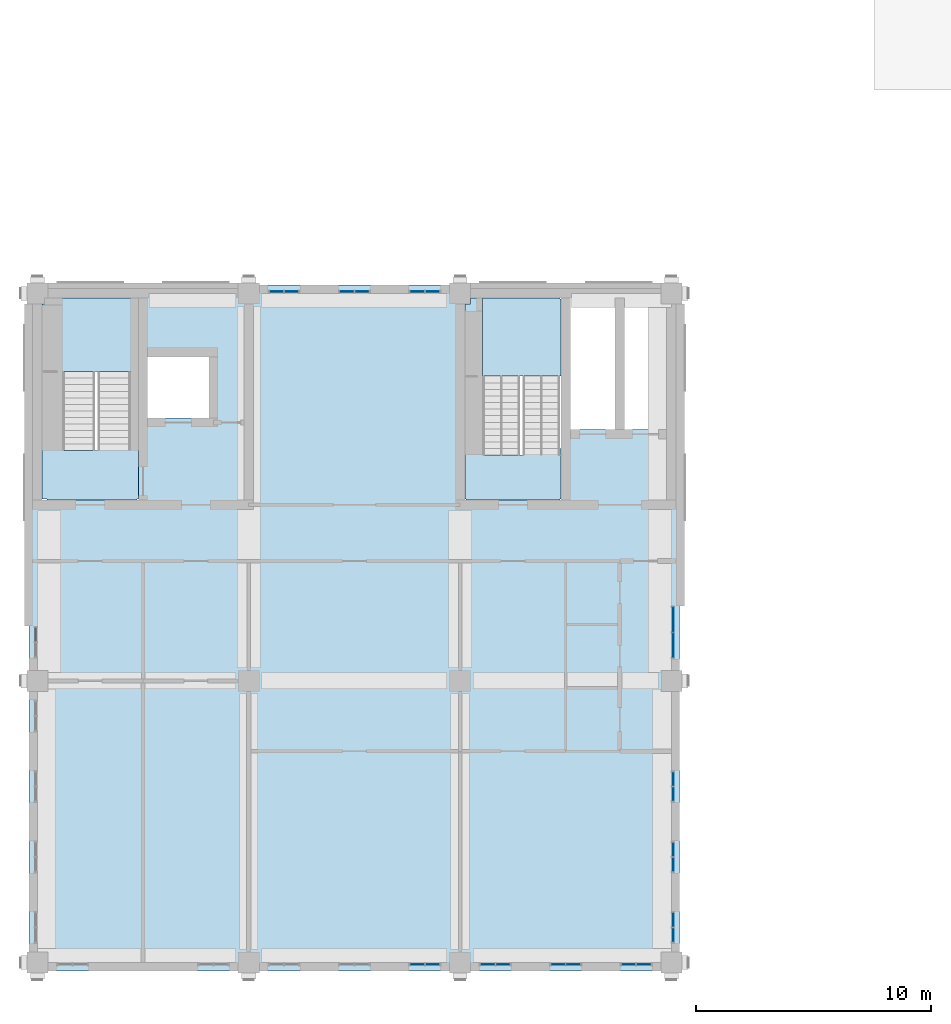
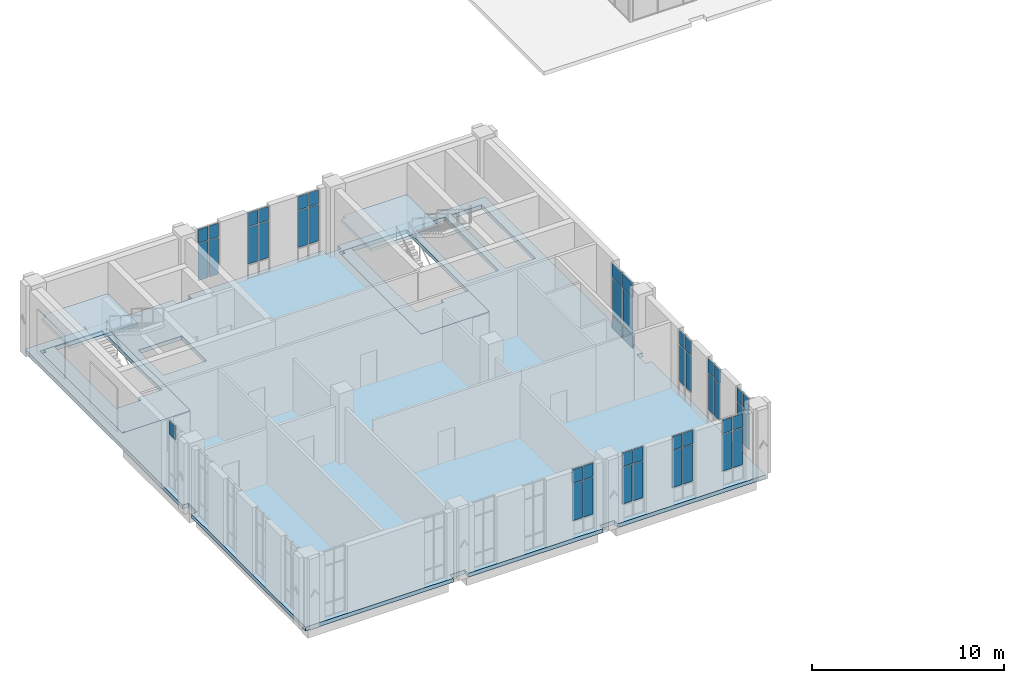
# One storey, part 13 of 25: 47 plates, 5 slabs, 14 elements without a shape of their own.
"""IFC4 building model written with IfcOpenShell, lengths in metres."""

from ifc_helpers import new_model, si_unit, direction, frame, origin, origin_2d, place, context, subcontext, project, spatial, polyline, rectangle, outline, extrude, material, layer, layer_set, type_object, element, aggregate, save


model = new_model("IFC4")

# Units and contexts
model_context = context("Model", 3, precision=1e-05, world=origin(), true_north=direction((0.0, 1.0)))
body_context = subcontext(model_context, "Body", "Model", "MODEL_VIEW")
ifc_project = project(units=[si_unit("LENGTHUNIT", "METRE"), si_unit("AREAUNIT", "SQUARE_METRE"), si_unit("VOLUMEUNIT", "CUBIC_METRE"), si_unit("PLANEANGLEUNIT", "RADIAN"), si_unit("MASSUNIT", "GRAM", prefix="KILO")], contexts=[model_context])

# Site, building, storey
site_placement = place(None, origin())
site = spatial("IfcSite", under=ifc_project, at=site_placement, CompositionType="ELEMENT")
building_placement = place(site_placement, origin())
building = spatial("IfcBuilding", under=site, at=building_placement, Name="Aurelan Courthouse", CompositionType="ELEMENT")
storey_placement = place(building_placement, frame((0.0, 0.0, 44.39990234375)))
storey = spatial("IfcBuildingStorey", under=building, at=storey_placement, Name="L08", CompositionType="ELEMENT", Elevation=44.39990234375)

# Curtain wall, plates
ifc_material_1 = material(Name="Bronze-finished aluminium and glass", Category="aluminium")
ifc_layer_1 = layer(ifc_material_1, 0.14990234375)
ifc_layer_set_1 = layer_set([ifc_layer_1], Name="Bronze-finished aluminium and glass")
curtain_wall_type_1 = type_object("IfcCurtainWallType", Name="Curtain wall 1350 x 4250", PredefinedType="NOTDEFINED", material=ifc_layer_set_1)
curtain_wall_1_placement = place(storey_placement, origin())
curtain_wall_1 = element("IfcCurtainWall", 1, at=curtain_wall_1_placement, inside=storey, type_object=curtain_wall_type_1, Name="Curtain wall CW-V5-L08-S05", PredefinedType="NOTDEFINED")
ifc_material_2 = material(Name="Limestone cladding", Category="masonry")
ifc_layer_2 = layer(ifc_material_2, 0.0400390625, Name="Facing")
ifc_material_3 = material(Name="Bronze sheet cladding", Category="bronze")
ifc_layer_3 = layer(ifc_material_3, 0.02001953125, Name="Back sheet")
ifc_layer_set_2 = layer_set([ifc_layer_2, ifc_layer_3], Name="Limestone cladding")
plate_type_1 = type_object("IfcPlateType", Name="Limestone spandrel panel with bronze back sheet 60", PredefinedType="CURTAIN_PANEL", material=ifc_layer_set_2)
plate_1_placement = place(storey_placement, frame((16.177490234375, -0.074951171875, 3.330078125), z_axis=(0.0, 0.0, 1.0), x_axis=(1.0, 0.0, 0.0)))
plate_1 = element("IfcPlate", 2, at=plate_1_placement, type_object=plate_type_1, Name="CW-V5-L08-S05 spandrel panel 1.3", PredefinedType="CURTAIN_PANEL", context=body_context, shape_type="SweptSolid", body=[
    extrude(rectangle(XDim=0.5849609375, YDim=0.06005859375, at=origin_2d()), origin(), (0.0, 0.0, 1.0), 0.860107421875),
])
plate_2_placement = place(storey_placement, frame((16.822509765625, -0.074951171875, 3.330078125), z_axis=(0.0, 0.0, 1.0), x_axis=(1.0, 0.0, 0.0)))
plate_2 = element("IfcPlate", 3, at=plate_2_placement, type_object=plate_type_1, Name="CW-V5-L08-S05 spandrel panel 2.3", PredefinedType="CURTAIN_PANEL", context=body_context, shape_type="SweptSolid", body=[
    extrude(rectangle(XDim=0.5849609375, YDim=0.06005859375, at=origin_2d()), origin(), (0.0, 0.0, 1.0), 0.860107421875),
])

curtain_wall_2_placement = place(storey_placement, origin())
curtain_wall_2 = element("IfcCurtainWall", 4, at=curtain_wall_2_placement, inside=storey, type_object=curtain_wall_type_1, Name="Curtain wall CW-V5-L08-S06", PredefinedType="NOTDEFINED")
plate_3_placement = place(storey_placement, frame((19.177490234375, -0.074951171875, 3.330078125), z_axis=(0.0, 0.0, 1.0), x_axis=(1.0, 0.0, 0.0)))
plate_3 = element("IfcPlate", 5, at=plate_3_placement, type_object=plate_type_1, Name="CW-V5-L08-S06 spandrel panel 1.3", PredefinedType="CURTAIN_PANEL", context=body_context, shape_type="SweptSolid", body=[
    extrude(rectangle(XDim=0.5849609375, YDim=0.06005859375, at=origin_2d()), origin(), (0.0, 0.0, 1.0), 0.860107421875),
])
plate_4_placement = place(storey_placement, frame((19.822509765625, -0.074951171875, 3.330078125), z_axis=(0.0, 0.0, 1.0), x_axis=(1.0, 0.0, 0.0)))
plate_4 = element("IfcPlate", 6, at=plate_4_placement, type_object=plate_type_1, Name="CW-V5-L08-S06 spandrel panel 2.3", PredefinedType="CURTAIN_PANEL", context=body_context, shape_type="SweptSolid", body=[
    extrude(rectangle(XDim=0.5849609375, YDim=0.06005859375, at=origin_2d()), origin(), (0.0, 0.0, 1.0), 0.860107421875),
])

curtain_wall_3_placement = place(storey_placement, origin())
curtain_wall_3 = element("IfcCurtainWall", 7, at=curtain_wall_3_placement, inside=storey, type_object=curtain_wall_type_1, Name="Curtain wall CW-V5-L08-S07", PredefinedType="NOTDEFINED")
plate_5_placement = place(storey_placement, frame((22.177490234375, -0.074951171875, 3.330078125), z_axis=(0.0, 0.0, 1.0), x_axis=(1.0, 0.0, 0.0)))
plate_5 = element("IfcPlate", 8, at=plate_5_placement, type_object=plate_type_1, Name="CW-V5-L08-S07 spandrel panel 1.3", PredefinedType="CURTAIN_PANEL", context=body_context, shape_type="SweptSolid", body=[
    extrude(rectangle(XDim=0.5849609375, YDim=0.06005859375, at=origin_2d()), origin(), (0.0, 0.0, 1.0), 0.860107421875),
])
plate_6_placement = place(storey_placement, frame((22.822509765625, -0.074951171875, 3.330078125), z_axis=(0.0, 0.0, 1.0), x_axis=(1.0, 0.0, 0.0)))
plate_6 = element("IfcPlate", 9, at=plate_6_placement, type_object=plate_type_1, Name="CW-V5-L08-S07 spandrel panel 2.3", PredefinedType="CURTAIN_PANEL", context=body_context, shape_type="SweptSolid", body=[
    extrude(rectangle(XDim=0.5849609375, YDim=0.06005859375, at=origin_2d()), origin(), (0.0, 0.0, 1.0), 0.860107421875),
])

curtain_wall_4_placement = place(storey_placement, origin())
curtain_wall_4 = element("IfcCurtainWall", 10, at=curtain_wall_4_placement, inside=storey, type_object=curtain_wall_type_1, Name="Curtain wall CW-V5-L08-S08", PredefinedType="NOTDEFINED")
plate_7_placement = place(storey_placement, frame((25.177490234375, -0.074951171875, 3.330078125), z_axis=(0.0, 0.0, 1.0), x_axis=(1.0, 0.0, 0.0)))
plate_7 = element("IfcPlate", 11, at=plate_7_placement, type_object=plate_type_1, Name="CW-V5-L08-S08 spandrel panel 1.3", PredefinedType="CURTAIN_PANEL", context=body_context, shape_type="SweptSolid", body=[
    extrude(rectangle(XDim=0.5849609375, YDim=0.06005859375, at=origin_2d()), origin(), (0.0, 0.0, 1.0), 0.860107421875),
])
plate_8_placement = place(storey_placement, frame((25.822509765625, -0.074951171875, 3.330078125), z_axis=(0.0, 0.0, 1.0), x_axis=(1.0, 0.0, 0.0)))
plate_8 = element("IfcPlate", 12, at=plate_8_placement, type_object=plate_type_1, Name="CW-V5-L08-S08 spandrel panel 2.3", PredefinedType="CURTAIN_PANEL", context=body_context, shape_type="SweptSolid", body=[
    extrude(rectangle(XDim=0.5849609375, YDim=0.06005859375, at=origin_2d()), origin(), (0.0, 0.0, 1.0), 0.860107421875),
])

curtain_wall_5_placement = place(storey_placement, origin())
curtain_wall_5 = element("IfcCurtainWall", 13, at=curtain_wall_5_placement, inside=storey, type_object=curtain_wall_type_1, Name="Curtain wall CW-V5-L08-N01", PredefinedType="NOTDEFINED")
plate_9_placement = place(storey_placement, frame((10.177490234375, 28.574951171875, 3.330078125), z_axis=(0.0, 0.0, 1.0), x_axis=(1.0, 0.0, 0.0)))
plate_9 = element("IfcPlate", 14, at=plate_9_placement, type_object=plate_type_1, Name="CW-V5-L08-N01 spandrel panel 1.3", PredefinedType="CURTAIN_PANEL", context=body_context, shape_type="SweptSolid", body=[
    extrude(rectangle(XDim=0.5849609375, YDim=0.06005859375, at=origin_2d()), origin(), (0.0, 0.0, 1.0), 0.860107421875),
])
plate_10_placement = place(storey_placement, frame((10.822509765625, 28.574951171875, 3.330078125), z_axis=(0.0, 0.0, 1.0), x_axis=(1.0, 0.0, 0.0)))
plate_10 = element("IfcPlate", 15, at=plate_10_placement, type_object=plate_type_1, Name="CW-V5-L08-N01 spandrel panel 2.3", PredefinedType="CURTAIN_PANEL", context=body_context, shape_type="SweptSolid", body=[
    extrude(rectangle(XDim=0.5849609375, YDim=0.06005859375, at=origin_2d()), origin(), (0.0, 0.0, 1.0), 0.860107421875),
])

curtain_wall_6_placement = place(storey_placement, origin())
curtain_wall_6 = element("IfcCurtainWall", 16, at=curtain_wall_6_placement, inside=storey, type_object=curtain_wall_type_1, Name="Curtain wall CW-V5-L08-N02", PredefinedType="NOTDEFINED")
plate_11_placement = place(storey_placement, frame((13.177490234375, 28.574951171875, 3.330078125), z_axis=(0.0, 0.0, 1.0), x_axis=(1.0, 0.0, 0.0)))
plate_11 = element("IfcPlate", 17, at=plate_11_placement, type_object=plate_type_1, Name="CW-V5-L08-N02 spandrel panel 1.3", PredefinedType="CURTAIN_PANEL", context=body_context, shape_type="SweptSolid", body=[
    extrude(rectangle(XDim=0.5849609375, YDim=0.06005859375, at=origin_2d()), origin(), (0.0, 0.0, 1.0), 0.860107421875),
])
plate_12_placement = place(storey_placement, frame((13.822509765625, 28.574951171875, 3.330078125), z_axis=(0.0, 0.0, 1.0), x_axis=(1.0, 0.0, 0.0)))
plate_12 = element("IfcPlate", 18, at=plate_12_placement, type_object=plate_type_1, Name="CW-V5-L08-N02 spandrel panel 2.3", PredefinedType="CURTAIN_PANEL", context=body_context, shape_type="SweptSolid", body=[
    extrude(rectangle(XDim=0.5849609375, YDim=0.06005859375, at=origin_2d()), origin(), (0.0, 0.0, 1.0), 0.860107421875),
])

curtain_wall_7_placement = place(storey_placement, origin())
curtain_wall_7 = element("IfcCurtainWall", 19, at=curtain_wall_7_placement, inside=storey, type_object=curtain_wall_type_1, Name="Curtain wall CW-V5-L08-N03", PredefinedType="NOTDEFINED")
plate_13_placement = place(storey_placement, frame((16.177490234375, 28.574951171875, 3.330078125), z_axis=(0.0, 0.0, 1.0), x_axis=(1.0, 0.0, 0.0)))
plate_13 = element("IfcPlate", 20, at=plate_13_placement, type_object=plate_type_1, Name="CW-V5-L08-N03 spandrel panel 1.3", PredefinedType="CURTAIN_PANEL", context=body_context, shape_type="SweptSolid", body=[
    extrude(rectangle(XDim=0.5849609375, YDim=0.06005859375, at=origin_2d()), origin(), (0.0, 0.0, 1.0), 0.860107421875),
])
plate_14_placement = place(storey_placement, frame((16.822509765625, 28.574951171875, 3.330078125), z_axis=(0.0, 0.0, 1.0), x_axis=(1.0, 0.0, 0.0)))
plate_14 = element("IfcPlate", 21, at=plate_14_placement, type_object=plate_type_1, Name="CW-V5-L08-N03 spandrel panel 2.3", PredefinedType="CURTAIN_PANEL", context=body_context, shape_type="SweptSolid", body=[
    extrude(rectangle(XDim=0.5849609375, YDim=0.06005859375, at=origin_2d()), origin(), (0.0, 0.0, 1.0), 0.860107421875),
])

curtain_wall_8_placement = place(storey_placement, origin())
curtain_wall_8 = element("IfcCurtainWall", 22, at=curtain_wall_8_placement, inside=storey, type_object=curtain_wall_type_1, Name="Curtain wall CW-V5-L08-E01", PredefinedType="NOTDEFINED")
plate_15_placement = place(storey_placement, frame((27.074951171875, 1.177490234375, 3.330078125), z_axis=(0.0, 0.0, 1.0), x_axis=(0.0, 1.0, 0.0)))
plate_15 = element("IfcPlate", 23, at=plate_15_placement, type_object=plate_type_1, Name="CW-V5-L08-E01 spandrel panel 1.3", PredefinedType="CURTAIN_PANEL", context=body_context, shape_type="SweptSolid", body=[
    extrude(rectangle(XDim=0.5849609375, YDim=0.06005859375, at=origin_2d()), origin(), (0.0, 0.0, 1.0), 0.860107421875),
])
plate_16_placement = place(storey_placement, frame((27.074951171875, 1.822509765625, 3.330078125), z_axis=(0.0, 0.0, 1.0), x_axis=(0.0, 1.0, 0.0)))
plate_16 = element("IfcPlate", 24, at=plate_16_placement, type_object=plate_type_1, Name="CW-V5-L08-E01 spandrel panel 2.3", PredefinedType="CURTAIN_PANEL", context=body_context, shape_type="SweptSolid", body=[
    extrude(rectangle(XDim=0.5849609375, YDim=0.06005859375, at=origin_2d()), origin(), (0.0, 0.0, 1.0), 0.860107421875),
])

curtain_wall_9_placement = place(storey_placement, origin())
curtain_wall_9 = element("IfcCurtainWall", 25, at=curtain_wall_9_placement, inside=storey, type_object=curtain_wall_type_1, Name="Curtain wall CW-V5-L08-E02", PredefinedType="NOTDEFINED")
plate_17_placement = place(storey_placement, frame((27.074951171875, 4.177490234375, 3.330078125), z_axis=(0.0, 0.0, 1.0), x_axis=(0.0, 1.0, 0.0)))
plate_17 = element("IfcPlate", 26, at=plate_17_placement, type_object=plate_type_1, Name="CW-V5-L08-E02 spandrel panel 1.3", PredefinedType="CURTAIN_PANEL", context=body_context, shape_type="SweptSolid", body=[
    extrude(rectangle(XDim=0.5849609375, YDim=0.06005859375, at=origin_2d()), origin(), (0.0, 0.0, 1.0), 0.860107421875),
])
plate_18_placement = place(storey_placement, frame((27.074951171875, 4.822509765625, 3.330078125), z_axis=(0.0, 0.0, 1.0), x_axis=(0.0, 1.0, 0.0)))
plate_18 = element("IfcPlate", 27, at=plate_18_placement, type_object=plate_type_1, Name="CW-V5-L08-E02 spandrel panel 2.3", PredefinedType="CURTAIN_PANEL", context=body_context, shape_type="SweptSolid", body=[
    extrude(rectangle(XDim=0.5849609375, YDim=0.06005859375, at=origin_2d()), origin(), (0.0, 0.0, 1.0), 0.860107421875),
])

curtain_wall_10_placement = place(storey_placement, origin())
curtain_wall_10 = element("IfcCurtainWall", 28, at=curtain_wall_10_placement, inside=storey, type_object=curtain_wall_type_1, Name="Curtain wall CW-V5-L08-E03", PredefinedType="NOTDEFINED")
plate_19_placement = place(storey_placement, frame((27.074951171875, 7.177490234375, 3.330078125), z_axis=(0.0, 0.0, 1.0), x_axis=(0.0, 1.0, 0.0)))
plate_19 = element("IfcPlate", 29, at=plate_19_placement, type_object=plate_type_1, Name="CW-V5-L08-E03 spandrel panel 1.3", PredefinedType="CURTAIN_PANEL", context=body_context, shape_type="SweptSolid", body=[
    extrude(rectangle(XDim=0.5849609375, YDim=0.06005859375, at=origin_2d()), origin(), (0.0, 0.0, 1.0), 0.860107421875),
])
plate_20_placement = place(storey_placement, frame((27.074951171875, 7.822509765625, 3.330078125), z_axis=(0.0, 0.0, 1.0), x_axis=(0.0, 1.0, 0.0)))
plate_20 = element("IfcPlate", 30, at=plate_20_placement, type_object=plate_type_1, Name="CW-V5-L08-E03 spandrel panel 2.3", PredefinedType="CURTAIN_PANEL", context=body_context, shape_type="SweptSolid", body=[
    extrude(rectangle(XDim=0.5849609375, YDim=0.06005859375, at=origin_2d()), origin(), (0.0, 0.0, 1.0), 0.860107421875),
])

ifc_layer_4 = layer(ifc_material_1, 0.14990234375)
ifc_layer_set_3 = layer_set([ifc_layer_4], Name="Bronze-finished aluminium and glass")
curtain_wall_type_2 = type_object("IfcCurtainWallType", Name="Curtain wall 2250 x 4250", PredefinedType="NOTDEFINED", material=ifc_layer_set_3)
curtain_wall_11_placement = place(storey_placement, origin())
curtain_wall_11 = element("IfcCurtainWall", 31, at=curtain_wall_11_placement, inside=storey, type_object=curtain_wall_type_2, Name="Curtain wall CW-V5-L08-E04", PredefinedType="NOTDEFINED")
plate_21_placement = place(storey_placement, frame((27.074951171875, 13.514892578125, 3.330078125), z_axis=(0.0, 0.0, 1.0), x_axis=(0.0, 1.0, 0.0)))
plate_21 = element("IfcPlate", 32, at=plate_21_placement, type_object=plate_type_1, Name="CW-V5-L08-E04 spandrel panel 1.3", PredefinedType="CURTAIN_PANEL", context=body_context, shape_type="SweptSolid", body=[
    extrude(rectangle(XDim=1.034912109375, YDim=0.06005859375, at=origin_2d()), origin(), (0.0, 0.0, 1.0), 0.860107421875),
])
plate_22_placement = place(storey_placement, frame((27.074951171875, 14.610107421875, 3.330078125), z_axis=(0.0, 0.0, 1.0), x_axis=(0.0, 1.0, 0.0)))
plate_22 = element("IfcPlate", 33, at=plate_22_placement, type_object=plate_type_1, Name="CW-V5-L08-E04 spandrel panel 2.3", PredefinedType="CURTAIN_PANEL", context=body_context, shape_type="SweptSolid", body=[
    extrude(rectangle(XDim=1.034912109375, YDim=0.06005859375, at=origin_2d()), origin(), (0.0, 0.0, 1.0), 0.860107421875),
])

# Curtain wall, plate
curtain_wall_12_placement = place(storey_placement, origin())
curtain_wall_12 = element("IfcCurtainWall", 34, at=curtain_wall_12_placement, inside=storey, type_object=curtain_wall_type_1, Name="Curtain wall CW-V5-L08-W05", PredefinedType="NOTDEFINED")
plate_23_placement = place(storey_placement, frame((-0.074951171875, 13.972412109375, 3.330078125), z_axis=(0.0, 0.0, 1.0), x_axis=(0.0, 1.0, 0.0)))
plate_23 = element("IfcPlate", 35, at=plate_23_placement, type_object=plate_type_1, Name="CW-V5-L08-W05 spandrel panel 2.3", PredefinedType="CURTAIN_PANEL", context=body_context, shape_type="SweptSolid", body=[
    extrude(rectangle(XDim=0.5849609375, YDim=0.06005859375, at=origin_2d()), origin(), (0.0, 0.0, 1.0), 0.860107421875),
])
aggregate(curtain_wall_12, [plate_23])

# Slab
ifc_material_4 = material(Name="Concrete C40", Category="concrete")
ifc_layer_5 = layer(ifc_material_4, 0.25)
ifc_layer_set_4 = layer_set([ifc_layer_5], Name="Concrete C40")
slab_type_1 = type_object("IfcSlabType", Name="PT floor slab 250", PredefinedType="FLOOR", material=ifc_layer_set_4)
slab_1_placement = place(storey_placement, frame((0.0, 0.0, -0.25)))
element("IfcSlab", 36, at=slab_1_placement, inside=storey, type_object=slab_type_1, Name="Floor slab SL-L08-01", PredefinedType="FLOOR", context=body_context, shape_type="SweptSolid", body=[
    extrude(outline(polyline([(0.0, 12.449951171875), (0.0, 11.550048828125), (-0.35009765625, 11.550048828125), (-0.35009765625, 0.449951171875), (-0.35009765625, -0.35009765625), (0.449951171875, -0.35009765625), (8.550048828125, -0.35009765625), (8.550048828125, 0.0), (9.449951171875, 0.0), (9.449951171875, -0.35009765625), (17.550048828125, -0.35009765625), (17.550048828125, 0.0), (18.449951171875, 0.0), (18.449951171875, -0.35009765625), (26.550048828125, -0.35009765625), (27.35009765625, -0.35009765625), (27.35009765625, 0.449951171875), (27.35009765625, 11.550048828125), (27.0, 11.550048828125), (27.0, 12.449951171875), (27.35009765625, 12.449951171875), (27.35009765625, 28.050048828125), (27.35009765625, 28.85009765625), (26.550048828125, 28.85009765625), (18.449951171875, 28.85009765625), (18.449951171875, 28.5), (17.550048828125, 28.5), (17.550048828125, 28.85009765625), (9.449951171875, 28.85009765625), (9.449951171875, 28.5), (8.550048828125, 28.5), (8.550048828125, 28.85009765625), (0.449951171875, 28.85009765625), (-0.35009765625, 28.85009765625), (-0.35009765625, 28.050048828125), (-0.35009765625, 12.449951171875), (0.0, 12.449951171875)]), holes=[polyline([(26.800048828125, 28.300048828125), (26.800048828125, 22.699951171875), (25.0, 22.699951171875), (25.0, 28.300048828125), (26.800048828125, 28.300048828125)]), polyline([(22.699951171875, 28.300048828125), (24.60009765625, 28.300048828125), (24.60009765625, 22.699951171875), (22.699951171875, 22.699951171875), (22.699951171875, 28.300048828125)]), polyline([(22.300048828125, 28.300048828125), (22.300048828125, 19.699951171875), (18.199951171875, 19.699951171875), (18.199951171875, 28.300048828125), (22.300048828125, 28.300048828125)]), polyline([(4.699951171875, 23.199951171875), (4.699951171875, 25.800048828125), (7.300048828125, 25.800048828125), (7.300048828125, 23.199951171875), (4.699951171875, 23.199951171875)]), polyline([(4.300048828125, 19.699951171875), (0.199951171875, 19.699951171875), (0.199951171875, 28.300048828125), (4.300048828125, 28.300048828125), (4.300048828125, 19.699951171875)])]), origin(), (0.0, 0.0, 1.0), 0.25),
])

# Plate
ifc_material_5 = material(Name="Bronze-finished aluminium", Category="aluminium")
ifc_layer_6 = layer(ifc_material_5, 0.0400390625)
ifc_layer_set_5 = layer_set([ifc_layer_6], Name="Bronze-finished aluminium")
plate_type_2 = type_object("IfcPlateType", Name="Sill panel 40", PredefinedType="CURTAIN_PANEL", material=ifc_layer_set_5)
plate_24_placement = place(storey_placement, frame((27.074951171875, 13.514892578125, 0.06005859375), z_axis=(0.0, 0.0, 1.0), x_axis=(0.0, 1.0, 0.0)))
plate_24 = element("IfcPlate", 37, at=plate_24_placement, type_object=plate_type_2, Name="CW-V5-L08-E04 sill panel 1.1", PredefinedType="CURTAIN_PANEL", context=body_context, shape_type="SweptSolid", body=[
    extrude(rectangle(XDim=1.034912109375, YDim=0.0400390625, at=origin_2d()), origin(), (0.0, 0.0, 1.0), 0.81005859375),
])

plate_25_placement = place(storey_placement, frame((27.074951171875, 14.610107421875, 0.06005859375), z_axis=(0.0, 0.0, 1.0), x_axis=(0.0, 1.0, 0.0)))
plate_25 = element("IfcPlate", 38, at=plate_25_placement, type_object=plate_type_2, Name="CW-V5-L08-E04 sill panel 2.1", PredefinedType="CURTAIN_PANEL", context=body_context, shape_type="SweptSolid", body=[
    extrude(rectangle(XDim=1.034912109375, YDim=0.0400390625, at=origin_2d()), origin(), (0.0, 0.0, 1.0), 0.81005859375),
])

# Stair, slab
ifc_material_6 = material(Name="Concrete C30", Category="concrete")
stair_type_1 = type_object("IfcStairType", Name="Half-turn stair 1600 wide 26 risers", PredefinedType="HALF_TURN_STAIR", material=ifc_material_6)
stair_1_placement = place(storey_placement, origin())
stair_1 = element("IfcStair", 39, at=stair_1_placement, inside=storey, type_object=stair_type_1, Name="Stair ST-5A-L08", PredefinedType="HALF_TURN_STAIR")
ifc_layer_7 = layer(ifc_material_6, 0.25)
ifc_layer_set_6 = layer_set([ifc_layer_7], Name="Concrete C30")
slab_type_2 = type_object("IfcSlabType", Name="Stair floor landing 250 thick", PredefinedType="LANDING", material=ifc_layer_set_6)
slab_2_placement = place(storey_placement, frame((0.0, 0.0, -0.25)))
slab_2 = element("IfcSlab", 40, at=slab_2_placement, type_object=slab_type_2, Name="Stair ST-5A-L08 floor landing", PredefinedType="LANDING", context=body_context, shape_type="SweptSolid", body=[
    extrude(outline(polyline([(22.300048828125, 21.89111328125), (22.300048828125, 19.75), (22.25, 19.75), (22.25, 19.699951171875), (18.25, 19.699951171875), (18.25, 19.75), (18.199951171875, 19.75), (18.199951171875, 28.050048828125), (18.449951171875, 28.050048828125), (18.449951171875, 28.300048828125), (18.949951171875, 28.300048828125), (18.949951171875, 28.25), (18.949951171875, 28.239990234375), (18.949951171875, 21.611083984375), (20.64990234375, 21.611083984375), (20.64990234375, 21.89111328125), (22.239990234375, 21.89111328125), (22.25, 21.89111328125), (22.300048828125, 21.89111328125)])), origin(), (0.0, 0.0, 1.0), 0.25),
])

stair_type_2 = type_object("IfcStairType", Name="Half-turn stair 1400 wide 26 risers", PredefinedType="HALF_TURN_STAIR", material=ifc_material_6)
stair_2_placement = place(storey_placement, origin())
stair_2 = element("IfcStair", 41, at=stair_2_placement, inside=storey, type_object=stair_type_2, Name="Stair ST-5B-L08", PredefinedType="HALF_TURN_STAIR")
slab_3_placement = place(storey_placement, frame((0.0, 0.0, -0.25)))
slab_3 = element("IfcSlab", 42, at=slab_3_placement, type_object=slab_type_2, Name="Stair ST-5B-L08 floor landing", PredefinedType="LANDING", context=body_context, shape_type="SweptSolid", body=[
    extrude(outline(polyline([(0.39990234375, 19.699951171875), (0.39990234375, 19.75), (0.199951171875, 19.75), (0.199951171875, 28.050048828125), (0.449951171875, 28.050048828125), (0.449951171875, 28.300048828125), (4.25, 28.300048828125), (4.25, 28.25), (4.300048828125, 28.25), (4.300048828125, 19.75), (4.25, 19.75), (4.25, 19.699951171875), (0.39990234375, 19.699951171875)]), holes=[polyline([(2.56005859375, 22.091064453125), (3.9599609375, 22.091064453125), (3.9599609375, 28.239990234375), (1.06005859375, 28.239990234375), (1.06005859375, 21.81103515625), (2.56005859375, 21.81103515625), (2.56005859375, 22.091064453125)])]), origin(), (0.0, 0.0, 1.0), 0.25),
])

# Slab
ifc_layer_8 = layer(ifc_material_6, 0.199951171875)
ifc_layer_set_7 = layer_set([ifc_layer_8], Name="Concrete C30")
slab_type_3 = type_object("IfcSlabType", Name="Stair half landing 200 thick", PredefinedType="LANDING", material=ifc_layer_set_7)
slab_4_placement = place(storey_placement, frame((0.0, 0.0, 2.050048828125)))
slab_4 = element("IfcSlab", 43, at=slab_4_placement, type_object=slab_type_3, Name="Stair ST-5A-L08 half landing", PredefinedType="LANDING", context=body_context, shape_type="SweptSolid", body=[
    extrude(outline(polyline([(22.300048828125, 24.969970703125), (18.199951171875, 24.969970703125), (18.199951171875, 28.050048828125), (18.449951171875, 28.050048828125), (18.449951171875, 28.300048828125), (22.25, 28.300048828125), (22.25, 28.25), (22.300048828125, 28.25), (22.300048828125, 24.969970703125)])), origin(), (0.0, 0.0, 1.0), 0.199951171875),
])

aggregate(stair_1, [slab_4, slab_2])

slab_5_placement = place(storey_placement, frame((0.0, 0.0, 2.050048828125)))
slab_5 = element("IfcSlab", 44, at=slab_5_placement, type_object=slab_type_3, Name="Stair ST-5B-L08 half landing", PredefinedType="LANDING", context=body_context, shape_type="SweptSolid", body=[
    extrude(outline(polyline([(4.300048828125, 25.169921875), (0.199951171875, 25.169921875), (0.199951171875, 28.050048828125), (0.449951171875, 28.050048828125), (0.449951171875, 28.300048828125), (4.25, 28.300048828125), (4.25, 28.25), (4.300048828125, 28.25), (4.300048828125, 25.169921875)])), origin(), (0.0, 0.0, 1.0), 0.199951171875),
])

aggregate(stair_2, [slab_5, slab_3])

# Plate
ifc_material_7 = material(Name="Laminated low-emissivity glass", Category="glass")
ifc_layer_9 = layer(ifc_material_7, 0.028076171875)
ifc_layer_set_8 = layer_set([ifc_layer_9], Name="Laminated low-emissivity glass")
plate_type_3 = type_object("IfcPlateType", Name="Vision glass panel 28", PredefinedType="CURTAIN_PANEL", material=ifc_layer_set_8)
plate_26_placement = place(storey_placement, frame((16.177490234375, -0.074951171875, 0.93017578125), z_axis=(0.0, 0.0, 1.0), x_axis=(1.0, 0.0, 0.0)))
plate_26 = element("IfcPlate", 45, at=plate_26_placement, type_object=plate_type_3, Name="CW-V5-L08-S05 vision panel 1.2", PredefinedType="CURTAIN_PANEL", context=body_context, shape_type="SweptSolid", body=[
    extrude(rectangle(XDim=0.5849609375, YDim=0.028076171875, at=origin_2d()), origin(), (0.0, 0.0, 1.0), 2.340087890625),
])

plate_27_placement = place(storey_placement, frame((16.822509765625, -0.074951171875, 0.93017578125), z_axis=(0.0, 0.0, 1.0), x_axis=(1.0, 0.0, 0.0)))
plate_27 = element("IfcPlate", 46, at=plate_27_placement, type_object=plate_type_3, Name="CW-V5-L08-S05 vision panel 2.2", PredefinedType="CURTAIN_PANEL", context=body_context, shape_type="SweptSolid", body=[
    extrude(rectangle(XDim=0.5849609375, YDim=0.028076171875, at=origin_2d()), origin(), (0.0, 0.0, 1.0), 2.340087890625),
])

aggregate(curtain_wall_1, [plate_26, plate_1, plate_27, plate_2])

plate_28_placement = place(storey_placement, frame((19.177490234375, -0.074951171875, 0.93017578125), z_axis=(0.0, 0.0, 1.0), x_axis=(1.0, 0.0, 0.0)))
plate_28 = element("IfcPlate", 47, at=plate_28_placement, type_object=plate_type_3, Name="CW-V5-L08-S06 vision panel 1.2", PredefinedType="CURTAIN_PANEL", context=body_context, shape_type="SweptSolid", body=[
    extrude(rectangle(XDim=0.5849609375, YDim=0.028076171875, at=origin_2d()), origin(), (0.0, 0.0, 1.0), 2.340087890625),
])

plate_29_placement = place(storey_placement, frame((19.822509765625, -0.074951171875, 0.93017578125), z_axis=(0.0, 0.0, 1.0), x_axis=(1.0, 0.0, 0.0)))
plate_29 = element("IfcPlate", 48, at=plate_29_placement, type_object=plate_type_3, Name="CW-V5-L08-S06 vision panel 2.2", PredefinedType="CURTAIN_PANEL", context=body_context, shape_type="SweptSolid", body=[
    extrude(rectangle(XDim=0.5849609375, YDim=0.028076171875, at=origin_2d()), origin(), (0.0, 0.0, 1.0), 2.340087890625),
])

aggregate(curtain_wall_2, [plate_28, plate_3, plate_29, plate_4])

plate_30_placement = place(storey_placement, frame((22.177490234375, -0.074951171875, 0.93017578125), z_axis=(0.0, 0.0, 1.0), x_axis=(1.0, 0.0, 0.0)))
plate_30 = element("IfcPlate", 49, at=plate_30_placement, type_object=plate_type_3, Name="CW-V5-L08-S07 vision panel 1.2", PredefinedType="CURTAIN_PANEL", context=body_context, shape_type="SweptSolid", body=[
    extrude(rectangle(XDim=0.5849609375, YDim=0.028076171875, at=origin_2d()), origin(), (0.0, 0.0, 1.0), 2.340087890625),
])

plate_31_placement = place(storey_placement, frame((22.822509765625, -0.074951171875, 0.93017578125), z_axis=(0.0, 0.0, 1.0), x_axis=(1.0, 0.0, 0.0)))
plate_31 = element("IfcPlate", 50, at=plate_31_placement, type_object=plate_type_3, Name="CW-V5-L08-S07 vision panel 2.2", PredefinedType="CURTAIN_PANEL", context=body_context, shape_type="SweptSolid", body=[
    extrude(rectangle(XDim=0.5849609375, YDim=0.028076171875, at=origin_2d()), origin(), (0.0, 0.0, 1.0), 2.340087890625),
])

aggregate(curtain_wall_3, [plate_30, plate_5, plate_31, plate_6])

plate_32_placement = place(storey_placement, frame((25.177490234375, -0.074951171875, 0.93017578125), z_axis=(0.0, 0.0, 1.0), x_axis=(1.0, 0.0, 0.0)))
plate_32 = element("IfcPlate", 51, at=plate_32_placement, type_object=plate_type_3, Name="CW-V5-L08-S08 vision panel 1.2", PredefinedType="CURTAIN_PANEL", context=body_context, shape_type="SweptSolid", body=[
    extrude(rectangle(XDim=0.5849609375, YDim=0.028076171875, at=origin_2d()), origin(), (0.0, 0.0, 1.0), 2.340087890625),
])

plate_33_placement = place(storey_placement, frame((25.822509765625, -0.074951171875, 0.93017578125), z_axis=(0.0, 0.0, 1.0), x_axis=(1.0, 0.0, 0.0)))
plate_33 = element("IfcPlate", 52, at=plate_33_placement, type_object=plate_type_3, Name="CW-V5-L08-S08 vision panel 2.2", PredefinedType="CURTAIN_PANEL", context=body_context, shape_type="SweptSolid", body=[
    extrude(rectangle(XDim=0.5849609375, YDim=0.028076171875, at=origin_2d()), origin(), (0.0, 0.0, 1.0), 2.340087890625),
])

aggregate(curtain_wall_4, [plate_32, plate_7, plate_33, plate_8])

plate_34_placement = place(storey_placement, frame((10.177490234375, 28.574951171875, 0.93017578125), z_axis=(0.0, 0.0, 1.0), x_axis=(1.0, 0.0, 0.0)))
plate_34 = element("IfcPlate", 53, at=plate_34_placement, type_object=plate_type_3, Name="CW-V5-L08-N01 vision panel 1.2", PredefinedType="CURTAIN_PANEL", context=body_context, shape_type="SweptSolid", body=[
    extrude(rectangle(XDim=0.5849609375, YDim=0.028076171875, at=origin_2d()), origin(), (0.0, 0.0, 1.0), 2.340087890625),
])

plate_35_placement = place(storey_placement, frame((10.822509765625, 28.574951171875, 0.93017578125), z_axis=(0.0, 0.0, 1.0), x_axis=(1.0, 0.0, 0.0)))
plate_35 = element("IfcPlate", 54, at=plate_35_placement, type_object=plate_type_3, Name="CW-V5-L08-N01 vision panel 2.2", PredefinedType="CURTAIN_PANEL", context=body_context, shape_type="SweptSolid", body=[
    extrude(rectangle(XDim=0.5849609375, YDim=0.028076171875, at=origin_2d()), origin(), (0.0, 0.0, 1.0), 2.340087890625),
])

aggregate(curtain_wall_5, [plate_34, plate_9, plate_35, plate_10])

plate_36_placement = place(storey_placement, frame((13.177490234375, 28.574951171875, 0.93017578125), z_axis=(0.0, 0.0, 1.0), x_axis=(1.0, 0.0, 0.0)))
plate_36 = element("IfcPlate", 55, at=plate_36_placement, type_object=plate_type_3, Name="CW-V5-L08-N02 vision panel 1.2", PredefinedType="CURTAIN_PANEL", context=body_context, shape_type="SweptSolid", body=[
    extrude(rectangle(XDim=0.5849609375, YDim=0.028076171875, at=origin_2d()), origin(), (0.0, 0.0, 1.0), 2.340087890625),
])

plate_37_placement = place(storey_placement, frame((13.822509765625, 28.574951171875, 0.93017578125), z_axis=(0.0, 0.0, 1.0), x_axis=(1.0, 0.0, 0.0)))
plate_37 = element("IfcPlate", 56, at=plate_37_placement, type_object=plate_type_3, Name="CW-V5-L08-N02 vision panel 2.2", PredefinedType="CURTAIN_PANEL", context=body_context, shape_type="SweptSolid", body=[
    extrude(rectangle(XDim=0.5849609375, YDim=0.028076171875, at=origin_2d()), origin(), (0.0, 0.0, 1.0), 2.340087890625),
])

aggregate(curtain_wall_6, [plate_36, plate_11, plate_37, plate_12])

plate_38_placement = place(storey_placement, frame((16.177490234375, 28.574951171875, 0.93017578125), z_axis=(0.0, 0.0, 1.0), x_axis=(1.0, 0.0, 0.0)))
plate_38 = element("IfcPlate", 57, at=plate_38_placement, type_object=plate_type_3, Name="CW-V5-L08-N03 vision panel 1.2", PredefinedType="CURTAIN_PANEL", context=body_context, shape_type="SweptSolid", body=[
    extrude(rectangle(XDim=0.5849609375, YDim=0.028076171875, at=origin_2d()), origin(), (0.0, 0.0, 1.0), 2.340087890625),
])

plate_39_placement = place(storey_placement, frame((16.822509765625, 28.574951171875, 0.93017578125), z_axis=(0.0, 0.0, 1.0), x_axis=(1.0, 0.0, 0.0)))
plate_39 = element("IfcPlate", 58, at=plate_39_placement, type_object=plate_type_3, Name="CW-V5-L08-N03 vision panel 2.2", PredefinedType="CURTAIN_PANEL", context=body_context, shape_type="SweptSolid", body=[
    extrude(rectangle(XDim=0.5849609375, YDim=0.028076171875, at=origin_2d()), origin(), (0.0, 0.0, 1.0), 2.340087890625),
])

aggregate(curtain_wall_7, [plate_38, plate_13, plate_39, plate_14])

plate_40_placement = place(storey_placement, frame((27.074951171875, 1.177490234375, 0.93017578125), z_axis=(0.0, 0.0, 1.0), x_axis=(0.0, 1.0, 0.0)))
plate_40 = element("IfcPlate", 59, at=plate_40_placement, type_object=plate_type_3, Name="CW-V5-L08-E01 vision panel 1.2", PredefinedType="CURTAIN_PANEL", context=body_context, shape_type="SweptSolid", body=[
    extrude(rectangle(XDim=0.5849609375, YDim=0.028076171875, at=origin_2d()), origin(), (0.0, 0.0, 1.0), 2.340087890625),
])

plate_41_placement = place(storey_placement, frame((27.074951171875, 1.822509765625, 0.93017578125), z_axis=(0.0, 0.0, 1.0), x_axis=(0.0, 1.0, 0.0)))
plate_41 = element("IfcPlate", 60, at=plate_41_placement, type_object=plate_type_3, Name="CW-V5-L08-E01 vision panel 2.2", PredefinedType="CURTAIN_PANEL", context=body_context, shape_type="SweptSolid", body=[
    extrude(rectangle(XDim=0.5849609375, YDim=0.028076171875, at=origin_2d()), origin(), (0.0, 0.0, 1.0), 2.340087890625),
])

aggregate(curtain_wall_8, [plate_40, plate_15, plate_41, plate_16])

plate_42_placement = place(storey_placement, frame((27.074951171875, 4.177490234375, 0.93017578125), z_axis=(0.0, 0.0, 1.0), x_axis=(0.0, 1.0, 0.0)))
plate_42 = element("IfcPlate", 61, at=plate_42_placement, type_object=plate_type_3, Name="CW-V5-L08-E02 vision panel 1.2", PredefinedType="CURTAIN_PANEL", context=body_context, shape_type="SweptSolid", body=[
    extrude(rectangle(XDim=0.5849609375, YDim=0.028076171875, at=origin_2d()), origin(), (0.0, 0.0, 1.0), 2.340087890625),
])

plate_43_placement = place(storey_placement, frame((27.074951171875, 4.822509765625, 0.93017578125), z_axis=(0.0, 0.0, 1.0), x_axis=(0.0, 1.0, 0.0)))
plate_43 = element("IfcPlate", 62, at=plate_43_placement, type_object=plate_type_3, Name="CW-V5-L08-E02 vision panel 2.2", PredefinedType="CURTAIN_PANEL", context=body_context, shape_type="SweptSolid", body=[
    extrude(rectangle(XDim=0.5849609375, YDim=0.028076171875, at=origin_2d()), origin(), (0.0, 0.0, 1.0), 2.340087890625),
])

aggregate(curtain_wall_9, [plate_42, plate_17, plate_43, plate_18])

plate_44_placement = place(storey_placement, frame((27.074951171875, 7.177490234375, 0.93017578125), z_axis=(0.0, 0.0, 1.0), x_axis=(0.0, 1.0, 0.0)))
plate_44 = element("IfcPlate", 63, at=plate_44_placement, type_object=plate_type_3, Name="CW-V5-L08-E03 vision panel 1.2", PredefinedType="CURTAIN_PANEL", context=body_context, shape_type="SweptSolid", body=[
    extrude(rectangle(XDim=0.5849609375, YDim=0.028076171875, at=origin_2d()), origin(), (0.0, 0.0, 1.0), 2.340087890625),
])

plate_45_placement = place(storey_placement, frame((27.074951171875, 7.822509765625, 0.93017578125), z_axis=(0.0, 0.0, 1.0), x_axis=(0.0, 1.0, 0.0)))
plate_45 = element("IfcPlate", 64, at=plate_45_placement, type_object=plate_type_3, Name="CW-V5-L08-E03 vision panel 2.2", PredefinedType="CURTAIN_PANEL", context=body_context, shape_type="SweptSolid", body=[
    extrude(rectangle(XDim=0.5849609375, YDim=0.028076171875, at=origin_2d()), origin(), (0.0, 0.0, 1.0), 2.340087890625),
])

aggregate(curtain_wall_10, [plate_44, plate_19, plate_45, plate_20])

plate_46_placement = place(storey_placement, frame((27.074951171875, 13.514892578125, 0.93017578125), z_axis=(0.0, 0.0, 1.0), x_axis=(0.0, 1.0, 0.0)))
plate_46 = element("IfcPlate", 65, at=plate_46_placement, type_object=plate_type_3, Name="CW-V5-L08-E04 vision panel 1.2", PredefinedType="CURTAIN_PANEL", context=body_context, shape_type="SweptSolid", body=[
    extrude(rectangle(XDim=1.034912109375, YDim=0.028076171875, at=origin_2d()), origin(), (0.0, 0.0, 1.0), 2.340087890625),
])

plate_47_placement = place(storey_placement, frame((27.074951171875, 14.610107421875, 0.93017578125), z_axis=(0.0, 0.0, 1.0), x_axis=(0.0, 1.0, 0.0)))
plate_47 = element("IfcPlate", 66, at=plate_47_placement, type_object=plate_type_3, Name="CW-V5-L08-E04 vision panel 2.2", PredefinedType="CURTAIN_PANEL", context=body_context, shape_type="SweptSolid", body=[
    extrude(rectangle(XDim=1.034912109375, YDim=0.028076171875, at=origin_2d()), origin(), (0.0, 0.0, 1.0), 2.340087890625),
])

aggregate(curtain_wall_11, [plate_24, plate_46, plate_21, plate_25, plate_47, plate_22])

save(model, "model.ifc")
